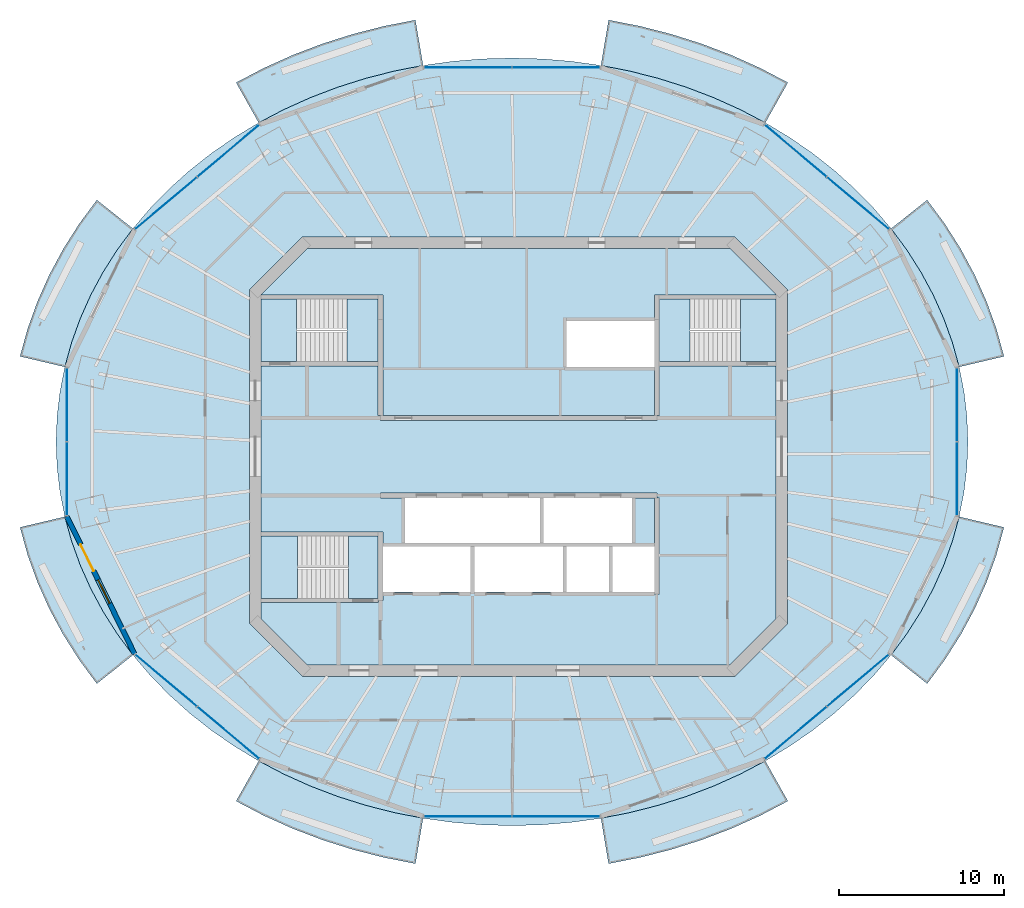
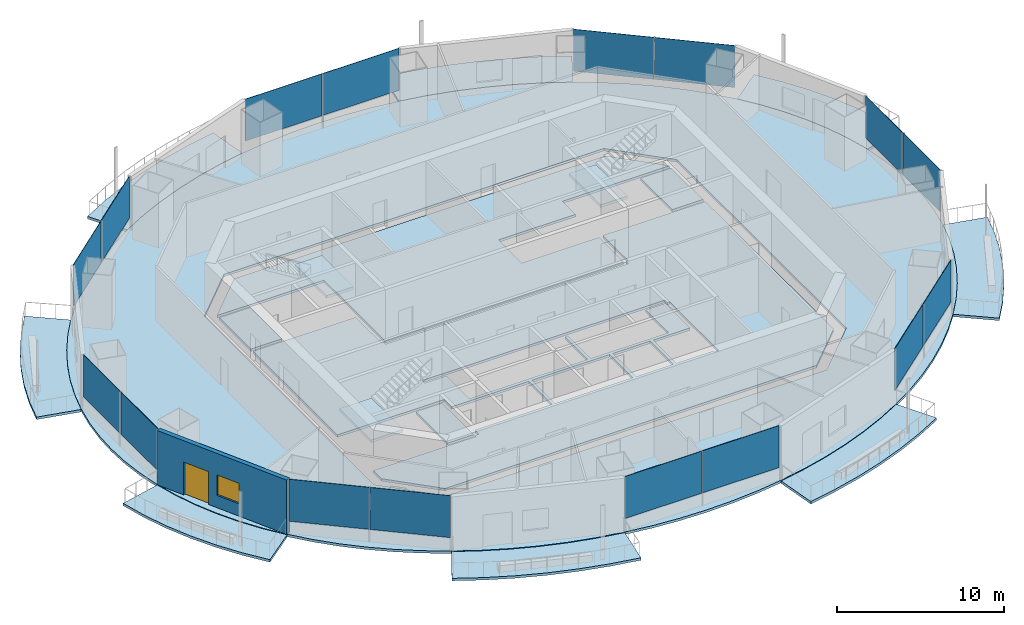
# One storey, part 7 of 16: 17 slabs, 16 plates, 1 door, 1 wall, 1 window, 2 openings, 11 elements without a shape of their own.
"""IFC4 building model written with IfcOpenShell, lengths in metres."""

from ifc_helpers import new_model, si_unit, direction, frame, frame_2d, origin, origin_2d, place, context, subcontext, project, spatial, polyline, rectangle, outline, extrude, material, layer, layer_set, type_object, element, fill, aggregate, save


model = new_model("IFC4")

# Units and contexts
model_context = context("Model", 3, precision=1e-05, world=origin(), true_north=direction((0.0, 1.0)))
body_context = subcontext(model_context, "Body", "Model", "MODEL_VIEW")
ifc_project = project(units=[si_unit("LENGTHUNIT", "METRE"), si_unit("AREAUNIT", "SQUARE_METRE"), si_unit("VOLUMEUNIT", "CUBIC_METRE"), si_unit("PLANEANGLEUNIT", "RADIAN"), si_unit("MASSUNIT", "GRAM", prefix="KILO")], contexts=[model_context])

# Site, building, storey
site_placement = place(None, origin())
site = spatial("IfcSite", under=ifc_project, at=site_placement, CompositionType="ELEMENT")
building_placement = place(site_placement, origin())
building = spatial("IfcBuilding", under=site, at=building_placement, Name="Marenthal Gate Tower", CompositionType="ELEMENT")
storey_placement = place(building_placement, frame((0.0, 0.0, 326.0)))
storey = spatial("IfcBuildingStorey", under=building, at=storey_placement, Name="L73", CompositionType="ELEMENT", Elevation=326.0)

# Slabs
ifc_material_1 = material(Name="Concrete 40 MPa", Category="concrete")
ifc_layer_1 = layer(ifc_material_1, 0.179931640625)
ifc_layer_set_1 = layer_set([ifc_layer_1], Name="Balcony deck 180")
slab_type_1 = type_object("IfcSlabType", Name="Balcony deck 180", PredefinedType="USERDEFINED", material=ifc_layer_set_1)
slab_1_placement = place(storey_placement, frame((0.0, 0.0, -0.219970703125)))
element("IfcSlab", 1, at=slab_1_placement, inside=storey, type_object=slab_type_1, Name="Balcony deck L73 bay 1", ObjectType="BALCONY", PredefinedType="USERDEFINED", context=body_context, shape_type="SweptSolid", body=[
    extrude(outline(polyline([(26.779541015625, 5.450927734375), (26.36767578125, 6.9375), (25.84130859375, 8.398193359375), (25.202392578125, 9.826904296875), (24.4541015625, 11.21728515625), (23.599365234375, 12.5634765625), (22.6416015625, 13.85986328125), (24.834716796875, 15.6005859375), (25.908447265625, 14.147216796875), (26.8701171875, 12.632568359375), (27.71484375, 11.063232421875), (28.43798828125, 9.4453125), (29.035888671875, 7.786865234375), (29.50439453125, 6.0947265625), (26.779541015625, 5.450927734375)])), origin(), (0.0, 0.0, 1.0), 0.179931640625),
])
slab_2_placement = place(storey_placement, frame((0.0, 0.0, -0.219970703125)))
element("IfcSlab", 2, at=slab_2_placement, inside=storey, type_object=slab_type_1, Name="Balcony deck L73 bay 3", ObjectType="BALCONY", PredefinedType="USERDEFINED", context=body_context, shape_type="SweptSolid", body=[
    extrude(outline(polyline([(14.99609375, 20.295654296875), (13.4560546875, 21.101806640625), (11.856689453125, 21.8212890625), (10.204833984375, 22.451416015625), (8.5078125, 22.989013671875), (6.7724609375, 23.43212890625), (5.00634765625, 23.77880859375), (5.46875, 26.540283203125), (7.388427734375, 26.16357421875), (9.277099609375, 25.68115234375), (11.126708984375, 25.09521484375), (12.93017578125, 24.407470703125), (14.679931640625, 23.6201171875), (16.36865234375, 22.736083984375), (14.99609375, 20.295654296875)])), origin(), (0.0, 0.0, 1.0), 0.179931640625),
])
slab_3_placement = place(storey_placement, frame((0.0, 0.0, -0.219970703125)))
element("IfcSlab", 3, at=slab_3_placement, inside=storey, type_object=slab_type_1, Name="Balcony deck L73 bay 5", ObjectType="BALCONY", PredefinedType="USERDEFINED", context=body_context, shape_type="SweptSolid", body=[
    extrude(outline(polyline([(-5.806396484375, 23.77880859375), (-7.572509765625, 23.43212890625), (-9.3076171875, 22.989013671875), (-11.0048828125, 22.451416015625), (-12.65673828125, 21.8212890625), (-14.256103515625, 21.101806640625), (-15.7958984375, 20.295654296875), (-17.168701171875, 22.736083984375), (-15.47998046875, 23.6201171875), (-13.730224609375, 24.407470703125), (-11.9267578125, 25.09521484375), (-10.076904296875, 25.68115234375), (-8.1884765625, 26.16357421875), (-6.268798828125, 26.540283203125), (-5.806396484375, 23.77880859375)])), origin(), (0.0, 0.0, 1.0), 0.179931640625),
])
slab_4_placement = place(storey_placement, frame((0.0, 0.0, -0.219970703125)))
element("IfcSlab", 4, at=slab_4_placement, inside=storey, type_object=slab_type_1, Name="Balcony deck L73 bay 7", ObjectType="BALCONY", PredefinedType="USERDEFINED", context=body_context, shape_type="SweptSolid", body=[
    extrude(outline(polyline([(-23.441650390625, 13.85986328125), (-24.3994140625, 12.5634765625), (-25.254150390625, 11.21728515625), (-26.00244140625, 9.826904296875), (-26.641357421875, 8.398193359375), (-27.167724609375, 6.9375), (-27.57958984375, 5.450927734375), (-30.304443359375, 6.0947265625), (-29.835693359375, 7.786865234375), (-29.238037109375, 9.4453125), (-28.514892578125, 11.063232421875), (-27.669921875, 12.632568359375), (-26.708251953125, 14.147216796875), (-25.634765625, 15.6005859375), (-23.441650390625, 13.85986328125)])), origin(), (0.0, 0.0, 1.0), 0.179931640625),
])
slab_5_placement = place(storey_placement, frame((0.0, 0.0, -0.219970703125)))
element("IfcSlab", 5, at=slab_5_placement, inside=storey, type_object=slab_type_1, Name="Balcony deck L73 bay 9", ObjectType="BALCONY", PredefinedType="USERDEFINED", context=body_context, shape_type="SweptSolid", body=[
    extrude(outline(polyline([(-27.57958984375, -3.65087890625), (-27.167724609375, -5.137451171875), (-26.641357421875, -6.59814453125), (-26.00244140625, -8.02685546875), (-25.254150390625, -9.417236328125), (-24.3994140625, -10.763427734375), (-23.441650390625, -12.059814453125), (-25.634765625, -13.800537109375), (-26.708251953125, -12.34716796875), (-27.669921875, -10.832763671875), (-28.514892578125, -9.26318359375), (-29.238037109375, -7.6455078125), (-29.835693359375, -5.98681640625), (-30.304443359375, -4.294921875), (-27.57958984375, -3.65087890625)])), origin(), (0.0, 0.0, 1.0), 0.179931640625),
])
slab_6_placement = place(storey_placement, frame((0.0, 0.0, -0.219970703125)))
element("IfcSlab", 6, at=slab_6_placement, inside=storey, type_object=slab_type_1, Name="Balcony deck L73 bay 11", ObjectType="BALCONY", PredefinedType="USERDEFINED", context=body_context, shape_type="SweptSolid", body=[
    extrude(outline(polyline([(-15.7958984375, -18.49560546875), (-14.256103515625, -19.3017578125), (-12.65673828125, -20.021484375), (-11.0048828125, -20.6513671875), (-9.3076171875, -21.18896484375), (-7.572509765625, -21.632080078125), (-5.806396484375, -21.978759765625), (-6.268798828125, -24.740478515625), (-8.1884765625, -24.363525390625), (-10.076904296875, -23.88134765625), (-11.9267578125, -23.295166015625), (-13.730224609375, -22.607421875), (-15.47998046875, -21.820068359375), (-17.168701171875, -20.936279296875), (-15.7958984375, -18.49560546875)])), origin(), (0.0, 0.0, 1.0), 0.179931640625),
])
slab_7_placement = place(storey_placement, frame((0.0, 0.0, -0.219970703125)))
element("IfcSlab", 7, at=slab_7_placement, inside=storey, type_object=slab_type_1, Name="Balcony deck L73 bay 13", ObjectType="BALCONY", PredefinedType="USERDEFINED", context=body_context, shape_type="SweptSolid", body=[
    extrude(outline(polyline([(5.00634765625, -21.978759765625), (6.7724609375, -21.632080078125), (8.5078125, -21.18896484375), (10.204833984375, -20.6513671875), (11.856689453125, -20.021484375), (13.4560546875, -19.3017578125), (14.99609375, -18.49560546875), (16.36865234375, -20.936279296875), (14.679931640625, -21.820068359375), (12.93017578125, -22.607421875), (11.126708984375, -23.295166015625), (9.277099609375, -23.88134765625), (7.388427734375, -24.363525390625), (5.46875, -24.740478515625), (5.00634765625, -21.978759765625)])), origin(), (0.0, 0.0, 1.0), 0.179931640625),
])
slab_8_placement = place(storey_placement, frame((0.0, 0.0, -0.219970703125)))
element("IfcSlab", 8, at=slab_8_placement, inside=storey, type_object=slab_type_1, Name="Balcony deck L73 bay 15", ObjectType="BALCONY", PredefinedType="USERDEFINED", context=body_context, shape_type="SweptSolid", body=[
    extrude(outline(polyline([(22.6416015625, -12.059814453125), (23.599365234375, -10.763427734375), (24.4541015625, -9.417236328125), (25.202392578125, -8.02685546875), (25.84130859375, -6.59814453125), (26.36767578125, -5.137451171875), (26.779541015625, -3.65087890625), (29.50439453125, -4.294921875), (29.035888671875, -5.98681640625), (28.43798828125, -7.6455078125), (27.71484375, -9.26318359375), (26.8701171875, -10.832763671875), (25.908447265625, -12.34716796875), (24.834716796875, -13.800537109375), (22.6416015625, -12.059814453125)])), origin(), (0.0, 0.0, 1.0), 0.179931640625),
])
ifc_material_2 = material(Name="Concrete 50 MPa", Category="concrete")
ifc_layer_2 = layer(ifc_material_2, 0.179931640625)
ifc_layer_set_2 = layer_set([ifc_layer_2], Name="Core floor slab 180")
slab_type_2 = type_object("IfcSlabType", Name="Core floor slab 180", PredefinedType="FLOOR", material=ifc_layer_set_2)
slab_9_placement = place(storey_placement, frame((0.0, 0.0, -0.179931640625)))
element("IfcSlab", 9, at=slab_9_placement, inside=storey, type_object=slab_type_2, Name="Core floor L73", PredefinedType="FLOOR", context=body_context, shape_type="SweptSolid", body=[
    extrude(outline(polyline([(12.85498046875, -12.64990234375), (-12.85498046875, -12.64990234375), (-15.64990234375, -9.85498046875), (-15.64990234375, -8.875), (-8.550048828125, -8.875), (-8.550048828125, -8.75), (-8.25, -8.75), (-8.25, -8.239990234375), (-5.60009765625, -8.239990234375), (-2.909912109375, -8.239990234375), (-2.909912109375, -5.4599609375), (-5.60009765625, -5.4599609375), (-8.25, -5.4599609375), (-8.25, -4.574951171875), (-8.550048828125, -4.574951171875), (-15.64990234375, -4.574951171875), (-15.64990234375, 5.52490234375), (-8.550048828125, 5.52490234375), (-8.550048828125, 2.5), (-8.39990234375, 2.5), (-8.39990234375, 2.199951171875), (8.39990234375, 2.199951171875), (8.39990234375, 2.5), (8.550048828125, 2.5), (8.550048828125, 5.52490234375), (15.64990234375, 5.52490234375), (15.64990234375, -9.85498046875), (12.85498046875, -12.64990234375)]), holes=[polyline([(0.0, -8.239990234375), (2.68994140625, -8.239990234375), (2.68994140625, -5.4599609375), (0.0, -5.4599609375), (-2.68994140625, -5.4599609375), (-2.68994140625, -8.239990234375), (0.0, -8.239990234375)]), polyline([(1.2900390625, -5.239990234375), (1.2900390625, -2.5), (1.510009765625, -2.5), (1.510009765625, -5.239990234375), (4.199951171875, -5.239990234375), (6.889892578125, -5.239990234375), (6.889892578125, -2.5), (8.25, -2.5), (8.25, -5.4599609375), (5.7099609375, -5.4599609375), (5.7099609375, -8.239990234375), (8.25, -8.239990234375), (8.25, -8.35009765625), (8.550048828125, -8.35009765625), (8.550048828125, -2.5), (8.39990234375, -2.5), (8.39990234375, -2.199951171875), (-8.39990234375, -2.199951171875), (-8.39990234375, -2.5), (-6.889892578125, -2.5), (-6.889892578125, -5.239990234375), (-4.199951171875, -5.239990234375), (-1.39990234375, -5.239990234375), (1.2900390625, -5.239990234375)]), polyline([(5.489990234375, -5.4599609375), (2.909912109375, -5.4599609375), (2.909912109375, -8.239990234375), (5.489990234375, -8.239990234375), (5.489990234375, -5.4599609375)])]), origin(), (0.0, 0.0, 1.0), 0.179931640625),
])
slab_10_placement = place(storey_placement, frame((0.0, 0.0, -0.179931640625)))
element("IfcSlab", 10, at=slab_10_placement, inside=storey, type_object=slab_type_2, Name="Core floor L73", PredefinedType="FLOOR", context=body_context, shape_type="SweptSolid", body=[
    extrude(outline(polyline([(15.64990234375, 5.77490234375), (13.5, 5.77490234375), (13.5, 9.574951171875), (15.64990234375, 9.574951171875), (15.64990234375, 5.77490234375)])), origin(), (0.0, 0.0, 1.0), 0.179931640625),
])
slab_11_placement = place(storey_placement, frame((0.0, 0.0, -0.179931640625)))
element("IfcSlab", 11, at=slab_11_placement, inside=storey, type_object=slab_type_2, Name="Core floor L73", PredefinedType="FLOOR", context=body_context, shape_type="SweptSolid", body=[
    extrude(outline(polyline([(15.64990234375, 9.824951171875), (8.550048828125, 9.824951171875), (8.25, 9.824951171875), (8.25, 8.35009765625), (8.25, 8.239990234375), (5.60009765625, 8.239990234375), (2.909912109375, 8.239990234375), (2.909912109375, 5.4599609375), (5.60009765625, 5.4599609375), (8.25, 5.4599609375), (8.25, 2.5), (-8.25, 2.5), (-8.25, 8.35009765625), (-8.25, 9.824951171875), (-8.550048828125, 9.824951171875), (-15.64990234375, 9.824951171875), (-15.64990234375, 9.85498046875), (-12.85498046875, 12.64990234375), (12.85498046875, 12.64990234375), (15.64990234375, 9.85498046875), (15.64990234375, 9.824951171875)])), origin(), (0.0, 0.0, 1.0), 0.179931640625),
])
slab_12_placement = place(storey_placement, frame((0.0, 0.0, -0.179931640625)))
element("IfcSlab", 12, at=slab_12_placement, inside=storey, type_object=slab_type_2, Name="Core floor L73", PredefinedType="FLOOR", context=body_context, shape_type="SweptSolid", body=[
    extrude(outline(polyline([(-15.64990234375, 9.574951171875), (-13.5, 9.574951171875), (-13.5, 5.77490234375), (-15.64990234375, 5.77490234375), (-15.64990234375, 9.574951171875)])), origin(), (0.0, 0.0, 1.0), 0.179931640625),
])
slab_13_placement = place(storey_placement, frame((0.0, 0.0, -0.179931640625)))
element("IfcSlab", 13, at=slab_13_placement, inside=storey, type_object=slab_type_2, Name="Core floor L73", PredefinedType="FLOOR", context=body_context, shape_type="SweptSolid", body=[
    extrude(outline(polyline([(-8.550048828125, -4.824951171875), (-8.550048828125, -8.625), (-10.35009765625, -8.625), (-10.35009765625, -4.824951171875), (-8.550048828125, -4.824951171875)])), origin(), (0.0, 0.0, 1.0), 0.179931640625),
])
ifc_material_3 = material(Name="Concrete 35 MPa", Category="concrete")
ifc_layer_3 = layer(ifc_material_3, 0.179931640625)
ifc_layer_set_3 = layer_set([ifc_layer_3], Name="Floor slab 180")
slab_type_3 = type_object("IfcSlabType", Name="Floor slab 180", PredefinedType="FLOOR", material=ifc_layer_set_3)
slab_14_placement = place(storey_placement, frame((0.0, 0.0, -0.179931640625)))
element("IfcSlab", 14, at=slab_14_placement, inside=storey, type_object=slab_type_3, Name="SL-L73-01", PredefinedType="FLOOR", context=body_context, shape_type="SweptSolid", body=[
    extrude(outline(polyline([(27.31201171875, 0.89990234375), (27.252685546875, 2.42578125), (27.074951171875, 3.94482421875), (26.779541015625, 5.450927734375), (26.36767578125, 6.9375), (25.84130859375, 8.398193359375), (25.202392578125, 9.826904296875), (24.4541015625, 11.21728515625), (23.599365234375, 12.5634765625), (22.6416015625, 13.85986328125), (21.58544921875, 15.1005859375), (20.43505859375, 16.280517578125), (19.1953125, 17.394775390625), (17.871826171875, 18.438232421875), (16.469970703125, 19.406494140625), (14.99609375, 20.295654296875), (13.4560546875, 21.101806640625), (11.856689453125, 21.8212890625), (10.204833984375, 22.451416015625), (8.5078125, 22.989013671875), (6.7724609375, 23.43212890625), (5.00634765625, 23.77880859375), (3.217041015625, 24.02734375), (1.41259765625, 24.177001953125), (-0.39990234375, 24.22705078125), (-2.21240234375, 24.177001953125), (-4.01708984375, 24.02734375), (-5.806396484375, 23.77880859375), (-7.572509765625, 23.43212890625), (-9.3076171875, 22.989013671875), (-11.0048828125, 22.451416015625), (-12.65673828125, 21.8212890625), (-14.256103515625, 21.101806640625), (-15.7958984375, 20.295654296875), (-17.27001953125, 19.406494140625), (-18.671875, 18.438232421875), (-19.995361328125, 17.394775390625), (-21.235107421875, 16.280517578125), (-22.385498046875, 15.1005859375), (-23.441650390625, 13.85986328125), (-24.3994140625, 12.5634765625), (-25.254150390625, 11.21728515625), (-26.00244140625, 9.826904296875), (-26.641357421875, 8.398193359375), (-27.167724609375, 6.9375), (-27.57958984375, 5.450927734375), (-27.875, 3.94482421875), (-28.052734375, 2.42578125), (-28.112060546875, 0.89990234375), (-28.052734375, -0.625732421875), (-27.875, -2.144775390625), (-27.57958984375, -3.65087890625), (-27.167724609375, -5.137451171875), (-26.641357421875, -6.59814453125), (-26.00244140625, -8.02685546875), (-25.254150390625, -9.417236328125), (-24.3994140625, -10.763427734375), (-23.441650390625, -12.059814453125), (-22.385498046875, -13.300537109375), (-21.235107421875, -14.480712890625), (-19.995361328125, -15.5947265625), (-18.671875, -16.63818359375), (-17.27001953125, -17.606689453125), (-15.7958984375, -18.49560546875), (-14.256103515625, -19.3017578125), (-12.65673828125, -20.021484375), (-11.0048828125, -20.6513671875), (-9.3076171875, -21.18896484375), (-7.572509765625, -21.632080078125), (-5.806396484375, -21.978759765625), (-4.01708984375, -22.227294921875), (-2.21240234375, -22.377197265625), (-0.39990234375, -22.427001953125), (1.41259765625, -22.377197265625), (3.217041015625, -22.227294921875), (5.00634765625, -21.978759765625), (6.7724609375, -21.632080078125), (8.5078125, -21.18896484375), (10.204833984375, -20.6513671875), (11.856689453125, -20.021484375), (13.4560546875, -19.3017578125), (14.99609375, -18.49560546875), (16.469970703125, -17.606689453125), (17.871826171875, -16.63818359375), (19.1953125, -15.5947265625), (20.43505859375, -14.480712890625), (21.58544921875, -13.300537109375), (22.6416015625, -12.059814453125), (23.599365234375, -10.763427734375), (24.4541015625, -9.417236328125), (25.202392578125, -8.02685546875), (25.84130859375, -6.59814453125), (26.36767578125, -5.137451171875), (26.779541015625, -3.65087890625), (27.074951171875, -2.144775390625), (27.252685546875, -0.625732421875), (27.31201171875, 0.89990234375)]), holes=[polyline([(13.14501953125, -13.35009765625), (16.35009765625, -10.14501953125), (16.35009765625, 10.14501953125), (13.14501953125, 13.35009765625), (-13.14501953125, 13.35009765625), (-16.35009765625, 10.14501953125), (-16.35009765625, -10.14501953125), (-13.14501953125, -13.35009765625), (13.14501953125, -13.35009765625)])]), origin(), (0.0, 0.0, 1.0), 0.179931640625),
])

# Curtain wall, plates
ifc_material_4 = material(Name="Aluminium and glass", Category="aluminium")
curtain_wall_type = type_object("IfcCurtainWallType", Name="Curtain wall typical high", PredefinedType="NOTDEFINED", material=ifc_material_4)
curtain_wall_1_placement = place(storey_placement, origin())
curtain_wall_1 = element("IfcCurtainWall", 15, at=curtain_wall_1_placement, inside=storey, type_object=curtain_wall_type, Name="Curtain wall L73 bay 2", PredefinedType="NOTDEFINED")
ifc_material_5 = material(Name="Glass, laminated insulating unit", Category="glass")
ifc_layer_4 = layer(ifc_material_5, 0.031982421875)
ifc_layer_set_4 = layer_set([ifc_layer_4], Name="Glass panel 32 typical high")
plate_type = type_object("IfcPlateType", Name="Glass panel 32 typical high", PredefinedType="CURTAIN_PANEL", material=ifc_layer_set_4)
plate_1_placement = place(storey_placement, frame((20.627197265625, 15.403564453125, 0.89990234375), z_axis=(0.0, 0.0, 1.0), x_axis=(-0.76529793122, 0.643676220215, 0.0)))
plate_1 = element("IfcPlate", 16, at=plate_1_placement, type_object=plate_type, Name="Glass panel L73 bay 2.1", PredefinedType="CURTAIN_PANEL", context=body_context, shape_type="SweptSolid", body=[
    extrude(rectangle(XDim=4.883544921875, YDim=0.031982421875, at=origin_2d()), origin(), (0.0, 0.0, 1.0), 3.070068359375),
])
plate_2_placement = place(storey_placement, frame((16.843994140625, 18.58544921875, 0.89990234375), z_axis=(0.0, 0.0, 1.0), x_axis=(-0.76529793122, 0.643676220215, 0.0)))
plate_2 = element("IfcPlate", 17, at=plate_2_placement, type_object=plate_type, Name="Glass panel L73 bay 2.2", PredefinedType="CURTAIN_PANEL", context=body_context, shape_type="SweptSolid", body=[
    extrude(rectangle(XDim=4.883544921875, YDim=0.031982421875, at=origin_2d()), origin(), (0.0, 0.0, 1.0), 3.070068359375),
])
aggregate(curtain_wall_1, [plate_1, plate_2])

curtain_wall_2_placement = place(storey_placement, origin())
curtain_wall_2 = element("IfcCurtainWall", 18, at=curtain_wall_2_placement, inside=storey, type_object=curtain_wall_type, Name="Curtain wall L73 bay 4", PredefinedType="NOTDEFINED")
plate_3_placement = place(storey_placement, frame((2.2763671875, 23.6611328125, 0.89990234375), z_axis=(0.0, 0.0, 1.0), x_axis=(-1.0, 0.0, 0.0)))
plate_3 = element("IfcPlate", 19, at=plate_3_placement, type_object=plate_type, Name="Glass panel L73 bay 4.1", PredefinedType="CURTAIN_PANEL", context=body_context, shape_type="SweptSolid", body=[
    extrude(rectangle(XDim=5.29296875, YDim=0.031982421875, at=origin_2d()), origin(), (0.0, 0.0, 1.0), 3.070068359375),
])
plate_4_placement = place(storey_placement, frame((-3.076416015625, 23.6611328125, 0.89990234375), z_axis=(0.0, 0.0, 1.0), x_axis=(-1.0, 0.0, 0.0)))
plate_4 = element("IfcPlate", 20, at=plate_4_placement, type_object=plate_type, Name="Glass panel L73 bay 4.2", PredefinedType="CURTAIN_PANEL", context=body_context, shape_type="SweptSolid", body=[
    extrude(rectangle(XDim=5.29296875, YDim=0.031982421875, at=origin_2d()), origin(), (0.0, 0.0, 1.0), 3.070068359375),
])
aggregate(curtain_wall_2, [plate_3, plate_4])

curtain_wall_3_placement = place(storey_placement, origin())
curtain_wall_3 = element("IfcCurtainWall", 21, at=curtain_wall_3_placement, inside=storey, type_object=curtain_wall_type, Name="Curtain wall L73 bay 6", PredefinedType="NOTDEFINED")
plate_5_placement = place(storey_placement, frame((-17.64404296875, 18.58544921875, 0.89990234375), z_axis=(0.0, 0.0, 1.0), x_axis=(-0.76529793122, -0.643676220215, 0.0)))
plate_5 = element("IfcPlate", 22, at=plate_5_placement, type_object=plate_type, Name="Glass panel L73 bay 6.1", PredefinedType="CURTAIN_PANEL", context=body_context, shape_type="SweptSolid", body=[
    extrude(rectangle(XDim=4.883544921875, YDim=0.031982421875, at=origin_2d()), origin(), (0.0, 0.0, 1.0), 3.070068359375),
])
plate_6_placement = place(storey_placement, frame((-21.42724609375, 15.403564453125, 0.89990234375), z_axis=(0.0, 0.0, 1.0), x_axis=(-0.76529793122, -0.643676220215, 0.0)))
plate_6 = element("IfcPlate", 23, at=plate_6_placement, type_object=plate_type, Name="Glass panel L73 bay 6.2", PredefinedType="CURTAIN_PANEL", context=body_context, shape_type="SweptSolid", body=[
    extrude(rectangle(XDim=4.883544921875, YDim=0.031982421875, at=origin_2d()), origin(), (0.0, 0.0, 1.0), 3.070068359375),
])
aggregate(curtain_wall_3, [plate_5, plate_6])

curtain_wall_4_placement = place(storey_placement, origin())
curtain_wall_4 = element("IfcCurtainWall", 24, at=curtain_wall_4_placement, inside=storey, type_object=curtain_wall_type, Name="Curtain wall L73 bay 8", PredefinedType="NOTDEFINED")
plate_7_placement = place(storey_placement, frame((-27.4619140625, 3.148681640625, 0.89990234375), z_axis=(0.0, 0.0, 1.0), x_axis=(0.0, -1.0, 0.0)))
plate_7 = element("IfcPlate", 25, at=plate_7_placement, type_object=plate_type, Name="Glass panel L73 bay 8.1", PredefinedType="CURTAIN_PANEL", context=body_context, shape_type="SweptSolid", body=[
    extrude(rectangle(XDim=4.4375, YDim=0.031982421875, at=origin_2d()), origin(), (0.0, 0.0, 1.0), 3.070068359375),
])
plate_8_placement = place(storey_placement, frame((-27.4619140625, -1.3486328125, 0.89990234375), z_axis=(0.0, 0.0, 1.0), x_axis=(0.0, -1.0, 0.0)))
plate_8 = element("IfcPlate", 26, at=plate_8_placement, type_object=plate_type, Name="Glass panel L73 bay 8.2", PredefinedType="CURTAIN_PANEL", context=body_context, shape_type="SweptSolid", body=[
    extrude(rectangle(XDim=4.4375, YDim=0.031982421875, at=origin_2d()), origin(), (0.0, 0.0, 1.0), 3.070068359375),
])
aggregate(curtain_wall_4, [plate_7, plate_8])

curtain_wall_5_placement = place(storey_placement, origin())
curtain_wall_5 = element("IfcCurtainWall", 27, at=curtain_wall_5_placement, inside=storey, type_object=curtain_wall_type, Name="Curtain wall L73 bay 10", PredefinedType="NOTDEFINED")
plate_9_placement = place(storey_placement, frame((-21.42724609375, -13.603515625, 0.89990234375), z_axis=(0.0, 0.0, 1.0), x_axis=(0.76529793122, -0.643676220215, 0.0)))
plate_9 = element("IfcPlate", 28, at=plate_9_placement, type_object=plate_type, Name="Glass panel L73 bay 10.1", PredefinedType="CURTAIN_PANEL", context=body_context, shape_type="SweptSolid", body=[
    extrude(rectangle(XDim=4.883544921875, YDim=0.031982421875, at=origin_2d()), origin(), (0.0, 0.0, 1.0), 3.070068359375),
])
plate_10_placement = place(storey_placement, frame((-17.64404296875, -16.78564453125, 0.89990234375), z_axis=(0.0, 0.0, 1.0), x_axis=(0.76529793122, -0.643676220215, 0.0)))
plate_10 = element("IfcPlate", 29, at=plate_10_placement, type_object=plate_type, Name="Glass panel L73 bay 10.2", PredefinedType="CURTAIN_PANEL", context=body_context, shape_type="SweptSolid", body=[
    extrude(rectangle(XDim=4.883544921875, YDim=0.031982421875, at=origin_2d()), origin(), (0.0, 0.0, 1.0), 3.070068359375),
])
aggregate(curtain_wall_5, [plate_9, plate_10])

curtain_wall_6_placement = place(storey_placement, origin())
curtain_wall_6 = element("IfcCurtainWall", 30, at=curtain_wall_6_placement, inside=storey, type_object=curtain_wall_type, Name="Curtain wall L73 bay 12", PredefinedType="NOTDEFINED")
plate_11_placement = place(storey_placement, frame((-3.076416015625, -21.861083984375, 0.89990234375), z_axis=(0.0, 0.0, 1.0), x_axis=(1.0, 0.0, 0.0)))
plate_11 = element("IfcPlate", 31, at=plate_11_placement, type_object=plate_type, Name="Glass panel L73 bay 12.1", PredefinedType="CURTAIN_PANEL", context=body_context, shape_type="SweptSolid", body=[
    extrude(rectangle(XDim=5.29296875, YDim=0.031982421875, at=origin_2d()), origin(), (0.0, 0.0, 1.0), 3.070068359375),
])
plate_12_placement = place(storey_placement, frame((2.2763671875, -21.861083984375, 0.89990234375), z_axis=(0.0, 0.0, 1.0), x_axis=(1.0, 0.0, 0.0)))
plate_12 = element("IfcPlate", 32, at=plate_12_placement, type_object=plate_type, Name="Glass panel L73 bay 12.2", PredefinedType="CURTAIN_PANEL", context=body_context, shape_type="SweptSolid", body=[
    extrude(rectangle(XDim=5.29296875, YDim=0.031982421875, at=origin_2d()), origin(), (0.0, 0.0, 1.0), 3.070068359375),
])
aggregate(curtain_wall_6, [plate_11, plate_12])

curtain_wall_7_placement = place(storey_placement, origin())
curtain_wall_7 = element("IfcCurtainWall", 33, at=curtain_wall_7_placement, inside=storey, type_object=curtain_wall_type, Name="Curtain wall L73 bay 14", PredefinedType="NOTDEFINED")
plate_13_placement = place(storey_placement, frame((16.843994140625, -16.78564453125, 0.89990234375), z_axis=(0.0, 0.0, 1.0), x_axis=(0.76529793122, 0.643676220215, 0.0)))
plate_13 = element("IfcPlate", 34, at=plate_13_placement, type_object=plate_type, Name="Glass panel L73 bay 14.1", PredefinedType="CURTAIN_PANEL", context=body_context, shape_type="SweptSolid", body=[
    extrude(rectangle(XDim=4.883544921875, YDim=0.031982421875, at=origin_2d()), origin(), (0.0, 0.0, 1.0), 3.070068359375),
])
plate_14_placement = place(storey_placement, frame((20.627197265625, -13.603515625, 0.89990234375), z_axis=(0.0, 0.0, 1.0), x_axis=(0.76529793122, 0.643676220215, 0.0)))
plate_14 = element("IfcPlate", 35, at=plate_14_placement, type_object=plate_type, Name="Glass panel L73 bay 14.2", PredefinedType="CURTAIN_PANEL", context=body_context, shape_type="SweptSolid", body=[
    extrude(rectangle(XDim=4.883544921875, YDim=0.031982421875, at=origin_2d()), origin(), (0.0, 0.0, 1.0), 3.070068359375),
])
aggregate(curtain_wall_7, [plate_13, plate_14])

curtain_wall_8_placement = place(storey_placement, origin())
curtain_wall_8 = element("IfcCurtainWall", 36, at=curtain_wall_8_placement, inside=storey, type_object=curtain_wall_type, Name="Curtain wall L73 bay 16", PredefinedType="NOTDEFINED")
plate_15_placement = place(storey_placement, frame((26.661865234375, -1.3486328125, 0.89990234375), z_axis=(0.0, 0.0, 1.0), x_axis=(0.0, 1.0, 0.0)))
plate_15 = element("IfcPlate", 37, at=plate_15_placement, type_object=plate_type, Name="Glass panel L73 bay 16.1", PredefinedType="CURTAIN_PANEL", context=body_context, shape_type="SweptSolid", body=[
    extrude(rectangle(XDim=4.4375, YDim=0.031982421875, at=origin_2d()), origin(), (0.0, 0.0, 1.0), 3.070068359375),
])
plate_16_placement = place(storey_placement, frame((26.661865234375, 3.148681640625, 0.89990234375), z_axis=(0.0, 0.0, 1.0), x_axis=(0.0, 1.0, 0.0)))
plate_16 = element("IfcPlate", 38, at=plate_16_placement, type_object=plate_type, Name="Glass panel L73 bay 16.2", PredefinedType="CURTAIN_PANEL", context=body_context, shape_type="SweptSolid", body=[
    extrude(rectangle(XDim=4.4375, YDim=0.031982421875, at=origin_2d()), origin(), (0.0, 0.0, 1.0), 3.070068359375),
])
aggregate(curtain_wall_8, [plate_15, plate_16])

# Stair, slab
ifc_material_6 = material(Name="Concrete 40 MPa", Category="concrete")
stair_type = type_object("IfcStairType", Name="Exit stair 1800", PredefinedType="HALF_TURN_STAIR", material=ifc_material_6)
stair_1_placement = place(storey_placement, origin())
stair_1 = element("IfcStair", 39, at=stair_1_placement, inside=storey, type_object=stair_type, Name="Stair ST1", PredefinedType="HALF_TURN_STAIR")
ifc_material_7 = material(Name="Concrete 40 MPa", Category="concrete")
ifc_layer_5 = layer(ifc_material_7, 0.199951171875)
ifc_layer_set_5 = layer_set([ifc_layer_5], Name="Stair landing 200")
slab_type_4 = type_object("IfcSlabType", Name="Stair landing 200", PredefinedType="LANDING", material=ifc_layer_set_5)
slab_15_placement = place(storey_placement, frame((0.0, 0.0, 1.875)))
slab_15 = element("IfcSlab", 40, at=slab_15_placement, type_object=slab_type_4, Name="ST1 landing 1", PredefinedType="LANDING", context=body_context, shape_type="SweptSolid", body=[
    extrude(outline(polyline([(-10.419921875, 5.77490234375), (-8.550048828125, 5.77490234375), (-8.550048828125, 9.574951171875), (-10.419921875, 9.574951171875), (-10.419921875, 5.77490234375)])), origin(), (0.0, 0.0, 1.0), 0.199951171875),
])
aggregate(stair_1, [slab_15])

stair_2_placement = place(storey_placement, origin())
stair_2 = element("IfcStair", 41, at=stair_2_placement, inside=storey, type_object=stair_type, Name="Stair ST2", PredefinedType="HALF_TURN_STAIR")
slab_16_placement = place(storey_placement, frame((0.0, 0.0, 1.875)))
slab_16 = element("IfcSlab", 42, at=slab_16_placement, type_object=slab_type_4, Name="ST2 landing 1", PredefinedType="LANDING", context=body_context, shape_type="SweptSolid", body=[
    extrude(outline(polyline([(-15.64990234375, -8.625), (-13.429931640625, -8.625), (-13.429931640625, -4.824951171875), (-15.64990234375, -4.824951171875), (-15.64990234375, -8.625)])), origin(), (0.0, 0.0, 1.0), 0.199951171875),
])
aggregate(stair_2, [slab_16])

stair_3_placement = place(storey_placement, origin())
stair_3 = element("IfcStair", 43, at=stair_3_placement, inside=storey, type_object=stair_type, Name="Stair ST3", PredefinedType="HALF_TURN_STAIR")
slab_17_placement = place(storey_placement, frame((0.0, 0.0, 1.875)))
slab_17 = element("IfcSlab", 44, at=slab_17_placement, type_object=slab_type_4, Name="ST3 landing 1", PredefinedType="LANDING", context=body_context, shape_type="SweptSolid", body=[
    extrude(outline(polyline([(8.550048828125, 5.77490234375), (10.419921875, 5.77490234375), (10.419921875, 9.574951171875), (8.550048828125, 9.574951171875), (8.550048828125, 5.77490234375)])), origin(), (0.0, 0.0, 1.0), 0.199951171875),
])
aggregate(stair_3, [slab_17])

# Wall, openings, door, window
ifc_material_8 = material(Name="Terracotta cladding on insulated concrete-block backing", Category="masonry")
ifc_layer_6 = layer(ifc_material_8, 0.300048828125)
ifc_layer_set_6 = layer_set([ifc_layer_6], Name="Terracotta facade wall 300")
wall_type = type_object("IfcWallType", Name="Terracotta facade wall 300", PredefinedType="SOLIDWALL", material=ifc_layer_set_6)
wall_placement = place(storey_placement, frame((-27.4619140625, -3.62744140625, 0.0), z_axis=(0.0, 0.0, 1.0), x_axis=(0.441822778199, -0.897102353505, 0.0)))
wall = element("IfcWall", 45, at=wall_placement, inside=storey, type_object=wall_type, Name="Terracotta facade wall L73 bay 9", PredefinedType="SOLIDWALL", context=body_context, shape_type="SweptSolid", body=[
    extrude(rectangle(XDim=9.3251953125, YDim=0.300048828125, at=frame_2d((4.66259765625, 0.0))), origin(), (0.0, 0.0, 1.0), 3.969970703125),
])
opening_1_placement = place(wall_placement, frame((1.89990234375, 0.0, 0.0)))
opening_1 = element("IfcOpeningElement", 46, at=opening_1_placement, cuts=wall, Name="Opening BD-L73-09", PredefinedType="OPENING", context=body_context, shape_type="SweptSolid", body=[
    extrude(rectangle(XDim=1.800048828125, YDim=2.39990234375, at=frame_2d((0.89990234375, 1.199951171875))), frame((0.0, 0.16015625, 0.0), z_axis=(0.0, -1.0, 0.0), x_axis=(1.0, 0.0, 0.0)), (0.0, 0.0, 1.0), 0.320068359375),
])
opening_2_placement = place(wall_placement, frame((4.300048828125, 0.0, 0.89990234375)))
opening_2 = element("IfcOpeningElement", 47, at=opening_2_placement, cuts=wall, Name="Opening WN3-L73-09", PredefinedType="OPENING", context=body_context, shape_type="SweptSolid", body=[
    extrude(rectangle(XDim=1.60009765625, YDim=1.5, at=frame_2d((0.800048828125, 0.75))), frame((0.0, 0.16015625, 0.0), z_axis=(0.0, -1.0, 0.0), x_axis=(1.0, 0.0, 0.0)), (0.0, 0.0, 1.0), 0.320068359375),
])
ifc_material_9 = material(Name="Aluminium and glass", Category="aluminium")
door_type = type_object("IfcDoorType", Name="Balcony door 1800x2400", OperationType="DOUBLE_DOOR_SINGLE_SWING", PredefinedType="DOOR", material=ifc_material_9)
door_placement = place(opening_1_placement, origin())
door = element("IfcDoor", 48, at=door_placement, inside=storey, type_object=door_type, Name="Balcony door L73 bay 9", OperationType="SINGLE_SWING_LEFT", OverallHeight=2.39990234375, OverallWidth=1.800048828125, PredefinedType="DOOR", context=body_context, shape_type="SweptSolid", body=[
    extrude(rectangle(XDim=1.800048828125, YDim=2.39990234375, at=frame_2d((0.89990234375, 1.199951171875))), frame((0.0, 0.02490234375, 0.0), z_axis=(0.0, -1.0, 0.0), x_axis=(1.0, 0.0, 0.0)), (0.0, 0.0, 1.0), 0.050048828125),
])
fill(opening_1, door)
ifc_material_10 = material(Name="Aluminium and glass", Category="aluminium")
window_type = type_object("IfcWindowType", Name="Window 1600x1500", PartitioningType="DOUBLE_PANEL_VERTICAL", PredefinedType="WINDOW", material=ifc_material_10)
window_placement = place(opening_2_placement, origin())
window = element("IfcWindow", 49, at=window_placement, inside=storey, type_object=window_type, Name="Window L73 bay 9", OverallHeight=1.5, OverallWidth=1.60009765625, PartitioningType="SINGLE_PANEL", PredefinedType="WINDOW", context=body_context, shape_type="SweptSolid", body=[
    extrude(rectangle(XDim=1.60009765625, YDim=1.5, at=frame_2d((0.800048828125, 0.75))), frame((0.0, 0.030029296875, 0.0), z_axis=(0.0, -1.0, 0.0), x_axis=(1.0, 0.0, 0.0)), (0.0, 0.0, 1.0), 0.06005859375),
])
fill(opening_2, window)

save(model, "model.ifc")
